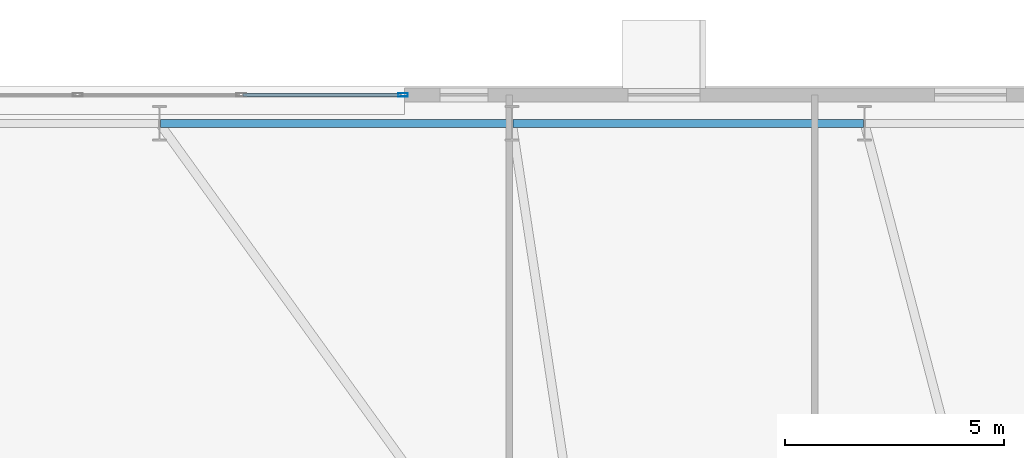
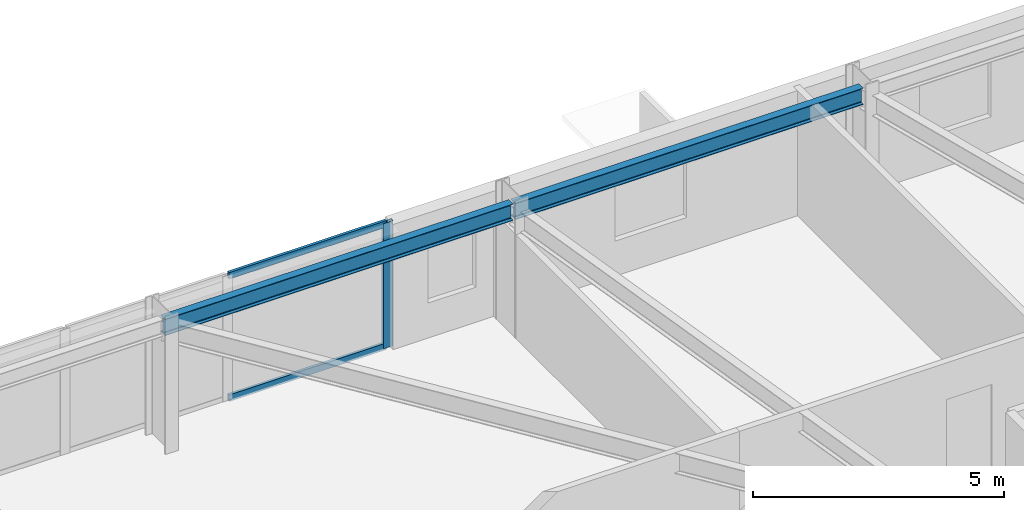
# One storey, part 9 of 18: 3 members, 2 beams, 1 element without a shape of its own.
"""IFC4 building model written with IfcOpenShell, lengths in metres."""

from ifc_helpers import new_model, si_unit, direction, frame, origin, origin_2d, place, context, subcontext, project, spatial, hollow_rectangle, i_section, extrude, material, layer, layer_set, material_profile, profile_set, type_object, element, aggregate, save


model = new_model("IFC4")

# Units and contexts
model_context = context("Model", 3, precision=1e-05, world=origin(), true_north=direction((0.0, 1.0)))
body_context = subcontext(model_context, "Body", "Model", "MODEL_VIEW")
ifc_project = project(units=[si_unit("LENGTHUNIT", "METRE"), si_unit("AREAUNIT", "SQUARE_METRE"), si_unit("VOLUMEUNIT", "CUBIC_METRE"), si_unit("PLANEANGLEUNIT", "RADIAN"), si_unit("MASSUNIT", "GRAM", prefix="KILO")], contexts=[model_context])

# Site, building, storey
site_placement = place(None, origin())
site = spatial("IfcSite", under=ifc_project, at=site_placement, CompositionType="ELEMENT")
building_placement = place(site_placement, origin())
building = spatial("IfcBuilding", under=site, at=building_placement, Name="Qobustan Lattice House", CompositionType="ELEMENT")
storey_placement = place(building_placement, frame((0.0, 0.0, 154.449951171875)))
storey = spatial("IfcBuildingStorey", under=building, at=storey_placement, Name="L43", CompositionType="ELEMENT", Elevation=154.449951171875)

# Beams
ifc_material_1 = material(Name="Steel S355", Category="steel")
ifc_material_profile_1 = material_profile(ifc_material_1, i_section(OverallWidth=0.179931640625, OverallDepth=0.39990234375, WebThickness=0.008544921875, FlangeThickness=0.013427734375, FilletRadius=0.02099609375, at=origin_2d()), Name="IPE400")
ifc_profile_set_1 = profile_set([ifc_material_profile_1], Name="Steel S355")
beam_type = type_object("IfcBeamType", Name="BM-SPD-IPE400", PredefinedType="SPANDREL", material=ifc_profile_set_1)
for number, where, z_axis, x_axis, name in (
    (1, (15.074951171875, 19.75, 2.840087890625), (-1.0, 0.0, 0.0), (0.0, -1.0, 0.0), "L43 perimeter spandrel N2-N3"),
    (2, (7.02490234375, 19.75, 2.840087890625), (-1.0, 0.0, 0.0), (0.0, -1.0, 0.0), "L43 perimeter spandrel N3-N4"),
):
    element("IfcBeam", number, at=place(storey_placement, frame(where, z_axis=z_axis, x_axis=x_axis)), inside=storey, type_object=beam_type, Name=name, PredefinedType="SPANDREL", context=body_context, shape_type="SweptSolid", body=[
        extrude(i_section(OverallWidth=0.179931640625, OverallDepth=0.39990234375, WebThickness=0.008544921875, FlangeThickness=0.013427734375, FilletRadius=0.02099609375, at=origin_2d()), origin(), (0.0, 0.0, 1.0), 8.0),
    ])

# Curtain wall, members
ifc_material_2 = material(Name="Anodised aluminium and low-E glazing", Category="aluminium")
ifc_layer = layer(ifc_material_2, 0.219970703125)
ifc_layer_set = layer_set([ifc_layer], Name="Anodised aluminium and low-E glazing")
curtain_wall_type = type_object("IfcCurtainWallType", Name="CW-IWN-01", PredefinedType="USERDEFINED", material=ifc_layer_set)
curtain_wall_placement = place(storey_placement, origin())
curtain_wall = element("IfcCurtainWall", 3, at=curtain_wall_placement, inside=storey, type_object=curtain_wall_type, Name="L43 IWAN-3 walnut-lined iwan curtain wall", ObjectType="CURTAIN WALL", PredefinedType="USERDEFINED")
ifc_material_3 = material(Name="Anodised aluminium EN AW-6063 T6", Category="aluminium")
ifc_material_profile_2 = material_profile(ifc_material_3, hollow_rectangle(XDim=0.080078125, YDim=0.219970703125, WallThickness=0.0048828125, at=origin_2d()), Name="CWM-220x80")
ifc_profile_set_2 = profile_set([ifc_material_profile_2], Name="Anodised aluminium EN AW-6063 T6")
member_type_1 = type_object("IfcMemberType", Name="CWM-MAIN-220", PredefinedType="MULLION", material=ifc_profile_set_2)
member_1_placement = place(storey_placement, frame((4.56005859375, 20.39990234375, 0.0), z_axis=(0.0, 0.0, 1.0), x_axis=(0.0, 1.0, 0.0)))
member_1 = element("IfcMember", 4, at=member_1_placement, type_object=member_type_1, Name="CW-IW mullion 4", PredefinedType="MULLION", context=body_context, shape_type="SweptSolid", body=[
    extrude(hollow_rectangle(XDim=0.080078125, YDim=0.219970703125, WallThickness=0.0048828125, at=origin_2d()), origin(), (0.0, 0.0, 1.0), 3.0400390625),
])
ifc_material_4 = material(Name="Anodised aluminium EN AW-6063 T6", Category="aluminium")
ifc_material_profile_3 = material_profile(ifc_material_4, hollow_rectangle(XDim=0.06494140625, YDim=0.159912109375, WallThickness=0.00390625, at=origin_2d()), Name="CWT-160x65")
ifc_profile_set_3 = profile_set([ifc_material_profile_3], Name="Anodised aluminium EN AW-6063 T6")
member_type_2 = type_object("IfcMemberType", Name="CWT-HOR-160", PredefinedType="USERDEFINED", material=ifc_profile_set_3)
member_2_placement = place(storey_placement, frame((0.90673828125, 20.39990234375, 0.032470703125), z_axis=(1.0, 0.0, 0.0), x_axis=(0.0, 1.0, 0.0)))
member_2 = element("IfcMember", 5, at=member_2_placement, type_object=member_type_2, Name="CW-IW transom 3.1", ObjectType="TRANSOM", PredefinedType="USERDEFINED", context=body_context, shape_type="SweptSolid", body=[
    extrude(hollow_rectangle(XDim=0.06494140625, YDim=0.159912109375, WallThickness=0.00390625, at=origin_2d()), origin(), (0.0, 0.0, 1.0), 3.61328125),
])
member_3_placement = place(storey_placement, frame((0.90673828125, 20.39990234375, 3.007568359375), z_axis=(1.0, 0.0, 0.0), x_axis=(0.0, 1.0, 0.0)))
member_3 = element("IfcMember", 6, at=member_3_placement, type_object=member_type_2, Name="CW-IW transom 3.2", ObjectType="TRANSOM", PredefinedType="USERDEFINED", context=body_context, shape_type="SweptSolid", body=[
    extrude(hollow_rectangle(XDim=0.06494140625, YDim=0.159912109375, WallThickness=0.00390625, at=origin_2d()), origin(), (0.0, 0.0, 1.0), 3.61328125),
])
aggregate(curtain_wall, [member_1, member_2, member_3])

save(model, "model.ifc")
